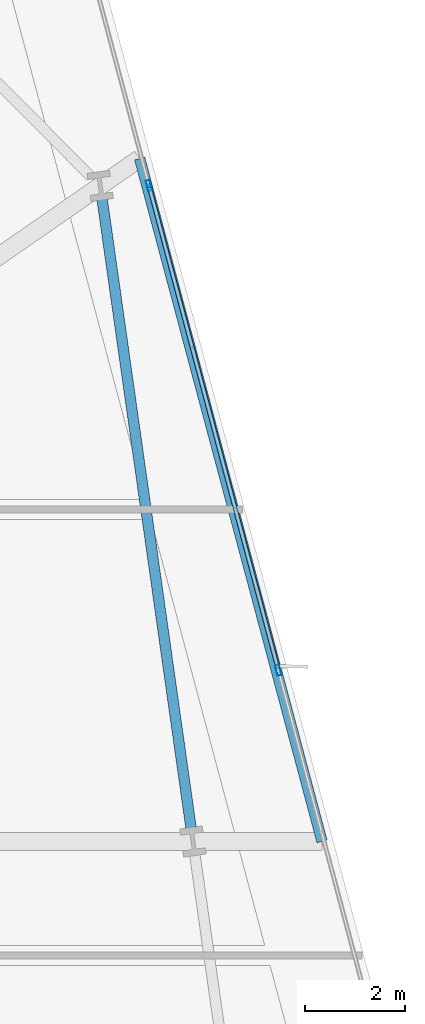
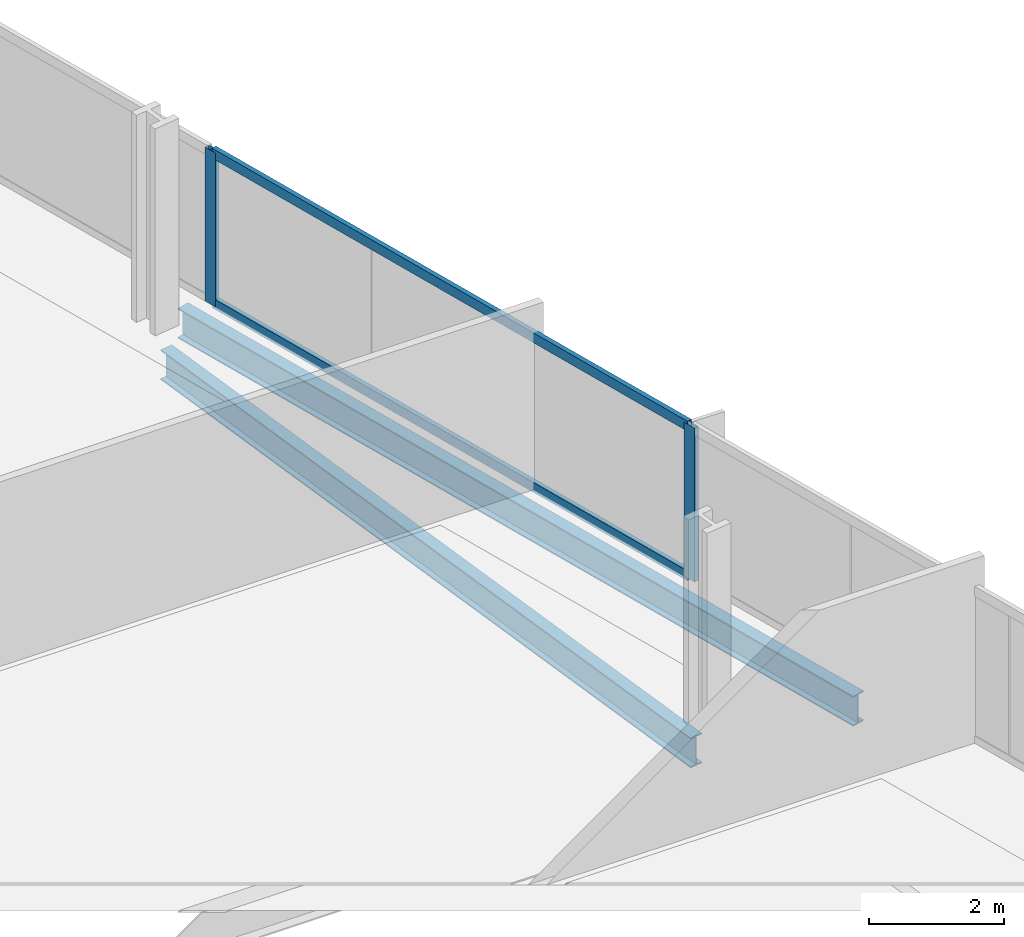
# One storey, part 20 of 33: 4 members, 2 beams, 1 element without a shape of its own.
"""IFC4 building model written with IfcOpenShell, lengths in metres."""

from ifc_helpers import new_model, si_unit, direction, frame, origin, origin_2d, place, context, subcontext, project, spatial, hollow_rectangle, i_section, extrude, material, material_profile, profile_set, type_object, element, aggregate, save


model = new_model("IFC4")

# Units and contexts
model_context = context("Model", 3, precision=1e-05, world=origin(), true_north=direction((0.0, 1.0)))
body_context = subcontext(model_context, "Body", "Model", "MODEL_VIEW")
ifc_project = project(units=[si_unit("LENGTHUNIT", "METRE"), si_unit("AREAUNIT", "SQUARE_METRE"), si_unit("VOLUMEUNIT", "CUBIC_METRE"), si_unit("PLANEANGLEUNIT", "RADIAN"), si_unit("MASSUNIT", "GRAM", prefix="KILO")], contexts=[model_context])

# Site, building, storey
site_placement = place(None, origin())
site = spatial("IfcSite", under=ifc_project, at=site_placement, CompositionType="ELEMENT")
building_placement = place(site_placement, origin())
building = spatial("IfcBuilding", under=site, at=building_placement, Name="Haldenkirk Collegiate Tower", CompositionType="ELEMENT")
storey_placement = place(building_placement, frame((0.0, 0.0, 77.699951171875)))
storey = spatial("IfcBuildingStorey", under=building, at=storey_placement, Name="L18", CompositionType="ELEMENT", Elevation=77.699951171875)

# Beams
ifc_material_1 = material(Name="Steel ASTM A992 Grade 50", Category="steel")
ifc_material_profile_1 = material_profile(ifc_material_1, i_section(OverallWidth=0.2119140625, OverallDepth=0.5439453125, WebThickness=0.01318359375, FlangeThickness=0.021240234375, at=origin_2d()), Name="W21X83")
ifc_profile_set_1 = profile_set([ifc_material_profile_1], Name="Steel ASTM A992 Grade 50")
beam_type = type_object("IfcBeamType", Name="BM-SPANDREL-W21X83", PredefinedType="SPANDREL", material=ifc_profile_set_1)
beam_1_placement = place(storey_placement, frame((59.716552734375, 30.050537109375, -0.58203125), z_axis=(-0.140052642207, 0.990144058918, 0.0), x_axis=(-0.990144058918, -0.140052642207, 0.0)))
element("IfcBeam", 1, at=beam_1_placement, inside=storey, type_object=beam_type, Name="L18 perimeter spandrel beam 07", PredefinedType="SPANDREL", context=body_context, shape_type="SweptSolid", body=[
    extrude(i_section(OverallWidth=0.2119140625, OverallDepth=0.5439453125, WebThickness=0.01318359375, FlangeThickness=0.021240234375, at=origin_2d()), origin(), (0.0, 0.0, 1.0), 12.761962890625),
])
beam_2_placement = place(storey_placement, frame((62.34423828125, 29.788818359375, -0.58203125), z_axis=(-0.257981762353, 0.966149786676, 0.0), x_axis=(-0.966149786676, -0.257981762353, 0.0)))
element("IfcBeam", 2, at=beam_2_placement, inside=storey, type_object=beam_type, Name="L18 outer facade edge beam 2", PredefinedType="SPANDREL", context=body_context, shape_type="SweptSolid", body=[
    extrude(i_section(OverallWidth=0.2119140625, OverallDepth=0.5439453125, WebThickness=0.01318359375, FlangeThickness=0.021240234375, at=origin_2d()), origin(), (0.0, 0.0, 1.0), 14.189453125),
])

# Curtain wall, members
ifc_material_2 = material(Name="Anodised architectural bronze aluminium", Category="aluminium")
curtain_wall_type = type_object("IfcCurtainWallType", Name="CW-SYS1-CONVEX-LOW", PredefinedType="USERDEFINED", material=ifc_material_2)
curtain_wall_placement = place(storey_placement, origin())
curtain_wall = element("IfcCurtainWall", 3, at=curtain_wall_placement, inside=storey, type_object=curtain_wall_type, Name="L18 Lower tower convex bronze-framed unitised curtain wall", ObjectType="UNITISED CURTAIN WALL", PredefinedType="USERDEFINED")
ifc_material_profile_2 = material_profile(ifc_material_2, hollow_rectangle(XDim=0.080078125, YDim=0.219970703125, WallThickness=0.0048828125, at=origin_2d()), Name="CW-MUL-1A")
ifc_profile_set_2 = profile_set([ifc_material_profile_2], Name="Anodised architectural bronze aluminium")
member_type_1 = type_object("IfcMemberType", Name="CW-MUL-1A", PredefinedType="MULLION", material=ifc_profile_set_2)
member_1_placement = place(storey_placement, frame((58.8701171875, 42.955078125, 0.0), z_axis=(0.0, 0.0, 1.0), x_axis=(0.966151314092, 0.257976042062, 0.0)))
member_1 = element("IfcMember", 4, at=member_1_placement, type_object=member_type_1, Name="CW-1A mullion 2", PredefinedType="MULLION", context=body_context, shape_type="SweptSolid", body=[
    extrude(hollow_rectangle(XDim=0.080078125, YDim=0.219970703125, WallThickness=0.0048828125, at=origin_2d()), origin(), (0.0, 0.0, 1.0), 2.791015625),
])
member_2_placement = place(storey_placement, frame((61.467529296875, 33.227294921875, 0.0), z_axis=(0.0, 0.0, 1.0), x_axis=(0.966151314092, 0.257976042062, 0.0)))
member_2 = element("IfcMember", 5, at=member_2_placement, type_object=member_type_1, Name="CW-1A mullion 3", PredefinedType="MULLION", context=body_context, shape_type="SweptSolid", body=[
    extrude(hollow_rectangle(XDim=0.080078125, YDim=0.219970703125, WallThickness=0.0048828125, at=origin_2d()), origin(), (0.0, 0.0, 1.0), 2.791015625),
])
ifc_material_profile_3 = material_profile(ifc_material_2, hollow_rectangle(XDim=0.080078125, YDim=0.179931640625, WallThickness=0.0048828125, at=origin_2d()), Name="CW-TRN-1A")
ifc_profile_set_3 = profile_set([ifc_material_profile_3], Name="Anodised architectural bronze aluminium")
member_type_2 = type_object("IfcMemberType", Name="CW-TRN-1A", PredefinedType="USERDEFINED", material=ifc_profile_set_3)
member_3_placement = place(storey_placement, frame((58.88037109375, 42.91650390625, 0.0400390625), z_axis=(0.257980579619, -0.966150102489, 0.0), x_axis=(0.966150102489, 0.257980579619, 0.0)))
member_3 = element("IfcMember", 6, at=member_3_placement, type_object=member_type_2, Name="CW-1A transom 2.1", ObjectType="TRANSOM", PredefinedType="USERDEFINED", context=body_context, shape_type="SweptSolid", body=[
    extrude(hollow_rectangle(XDim=0.080078125, YDim=0.179931640625, WallThickness=0.0048828125, at=origin_2d()), origin(), (0.0, 0.0, 1.0), 9.98876953125),
])
member_4_placement = place(storey_placement, frame((58.88037109375, 42.91650390625, 2.7509765625), z_axis=(0.257980579619, -0.966150102489, 0.0), x_axis=(0.966150102489, 0.257980579619, 0.0)))
member_4 = element("IfcMember", 7, at=member_4_placement, type_object=member_type_2, Name="CW-1A transom 2.2", ObjectType="TRANSOM", PredefinedType="USERDEFINED", context=body_context, shape_type="SweptSolid", body=[
    extrude(hollow_rectangle(XDim=0.080078125, YDim=0.179931640625, WallThickness=0.0048828125, at=origin_2d()), origin(), (0.0, 0.0, 1.0), 9.98876953125),
])
aggregate(curtain_wall, [member_1, member_2, member_3, member_4])

save(model, "model.ifc")
